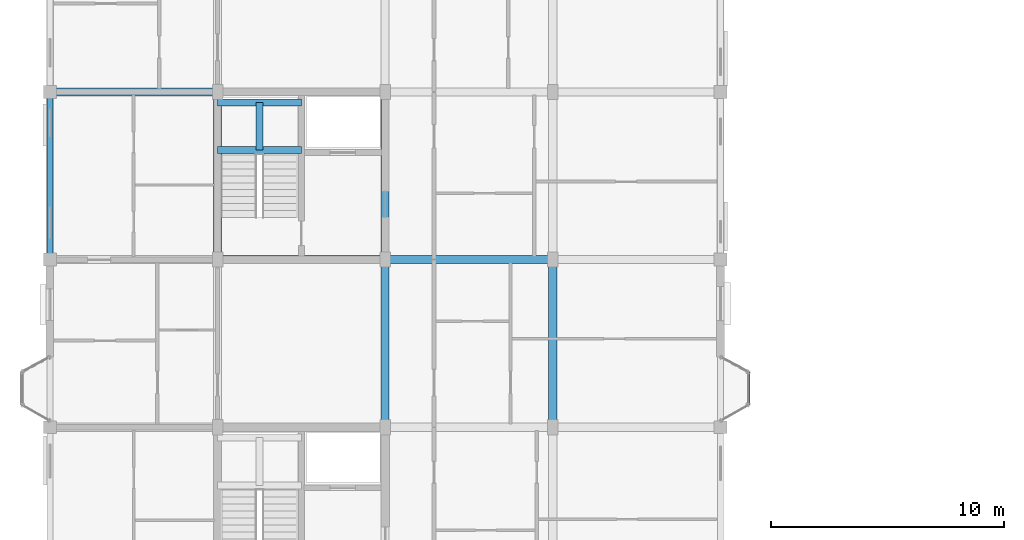
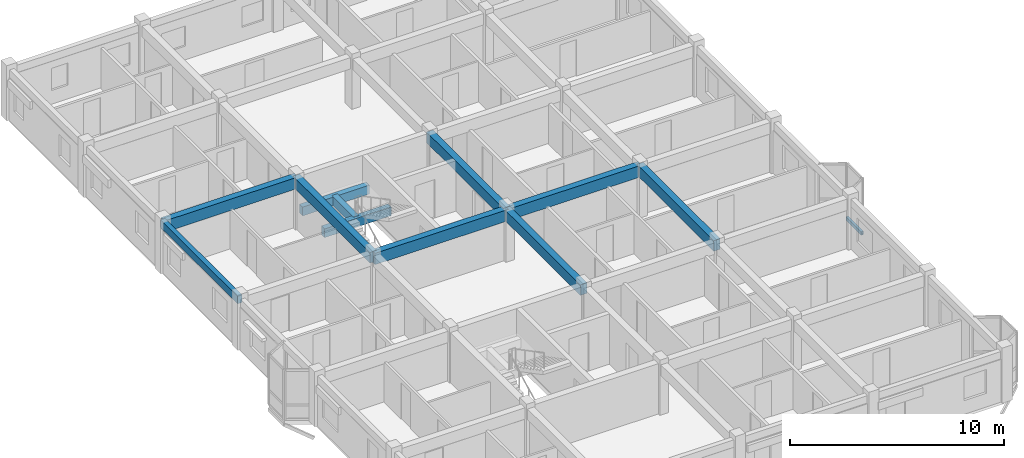
# One storey, part 10 of 77: 11 beams, 1 member.
"""IFC4 building model written with IfcOpenShell, lengths in metres."""

from ifc_helpers import new_model, si_unit, direction, frame, origin, origin_2d, place, context, subcontext, project, spatial, rectangle, hollow_rectangle, extrude, material, material_profile, profile_set, type_object, element, save


model = new_model("IFC4")

# Units and contexts
model_context = context("Model", 3, precision=1e-05, world=origin(), true_north=direction((0.0, 1.0)))
body_context = subcontext(model_context, "Body", "Model", "MODEL_VIEW")
ifc_project = project(units=[si_unit("LENGTHUNIT", "METRE"), si_unit("AREAUNIT", "SQUARE_METRE"), si_unit("VOLUMEUNIT", "CUBIC_METRE"), si_unit("PLANEANGLEUNIT", "RADIAN"), si_unit("MASSUNIT", "GRAM", prefix="KILO"), si_unit("THERMODYNAMICTEMPERATUREUNIT", "KELVIN"), si_unit("POWERUNIT", "WATT")], contexts=[model_context])

# Site, building, storey
site_placement = place(None, origin())
site = spatial("IfcSite", under=ifc_project, at=site_placement, CompositionType="ELEMENT")
building_placement = place(site_placement, origin())
building = spatial("IfcBuilding", under=site, at=building_placement, Name="Tavuni Mirador Residences", CompositionType="ELEMENT")
storey_placement = place(building_placement, frame((0.0, 0.0, 17.10009765625)))
storey = spatial("IfcBuildingStorey", under=building, at=storey_placement, Name="L05", CompositionType="ELEMENT", Elevation=17.10009765625)

# Beams
ifc_material_1 = material(Name="Precast concrete C40/50", Category="concrete")
ifc_material_profile_1 = material_profile(ifc_material_1, rectangle(XDim=0.300048828125, YDim=0.5, at=origin_2d()), Name="PC 300x500", Category="concrete")
ifc_profile_set_1 = profile_set([ifc_material_profile_1], Name="Precast concrete C40/50")
beam_type_1 = type_object("IfcBeamType", Name="BT-B500", PredefinedType="BEAM", material=ifc_profile_set_1)
for number, where, z_axis, x_axis, name in (
    (1, (10.800048828125, 33.5, 1.14501953125), (1.0, 0.0, 0.0), (0.0, 1.0, 0.0), "HLB1-C2-L05"),
    (2, (10.800048828125, 35.550048828125, 1.14501953125), (1.0, 0.0, 0.0), (0.0, 1.0, 0.0), "HLB2-C2-L05"),
):
    element("IfcBeam", number, at=place(storey_placement, frame(where, z_axis=z_axis, x_axis=x_axis)), inside=storey, type_object=beam_type_1, Name=name, PredefinedType="BEAM", context=body_context, shape_type="SweptSolid", body=[
        extrude(rectangle(XDim=0.300048828125, YDim=0.5, at=origin_2d()), origin(), (0.0, 0.0, 1.0), 3.599853515625),
    ])
beam_1_placement = place(storey_placement, frame((12.60009765625, 33.5, 1.14501953125), z_axis=(0.0, 1.0, 0.0), x_axis=(-1.0, 0.0, 0.0)))
element("IfcBeam", 3, at=beam_1_placement, inside=storey, type_object=beam_type_1, Name="HLB3-C2-L05", PredefinedType="BEAM", context=body_context, shape_type="SweptSolid", body=[
    extrude(rectangle(XDim=0.300048828125, YDim=0.5, at=origin_2d()), origin(), (0.0, 0.0, 1.0), 2.050048828125),
])
ifc_material_profile_2 = material_profile(ifc_material_1, rectangle(XDim=0.35009765625, YDim=0.60009765625, at=origin_2d()), Name="PC 350x600", Category="concrete")
ifc_profile_set_2 = profile_set([ifc_material_profile_2], Name="Precast concrete C40/50")
beam_type_2 = type_object("IfcBeamType", Name="BT-B600", PredefinedType="BEAM", material=ifc_profile_set_2)
for number, where, z_axis, x_axis, name in (
    (4, (10.800048828125, 28.800048828125, 2.56982421875), (0.0, 1.0, 0.0), (-1.0, 0.0, 0.0), "BMY-BLK-A-L05-01-03"),
    (5, (18.0, 21.60009765625, 2.56982421875), (0.0, 1.0, 0.0), (-1.0, 0.0, 0.0), "BMY-BLK-A-L05-02-02"),
    (6, (18.0, 28.800048828125, 2.56982421875), (0.0, 1.0, 0.0), (-1.0, 0.0, 0.0), "BMY-BLK-A-L05-02-03"),
    (7, (25.199951171875, 21.60009765625, 2.56982421875), (0.0, 1.0, 0.0), (-1.0, 0.0, 0.0), "BMY-BLK-A-L05-03-02"),
):
    element("IfcBeam", number, at=place(storey_placement, frame(where, z_axis=z_axis, x_axis=x_axis)), inside=storey, type_object=beam_type_2, Name=name, PredefinedType="BEAM", context=body_context, shape_type="SweptSolid", body=[
        extrude(rectangle(XDim=0.35009765625, YDim=0.60009765625, at=origin_2d()), origin(), (0.0, 0.0, 1.0), 7.199951171875),
    ])
ifc_material_profile_3 = material_profile(ifc_material_1, rectangle(XDim=0.35009765625, YDim=0.64990234375, at=origin_2d()), Name="PC 350x650", Category="concrete")
ifc_profile_set_3 = profile_set([ifc_material_profile_3], Name="Precast concrete C40/50")
beam_type_3 = type_object("IfcBeamType", Name="BT-B650", PredefinedType="BEAM", material=ifc_profile_set_3)
for number, where, z_axis, x_axis, name in (
    (8, (10.800048828125, 28.800048828125, 2.544921875), (1.0, 0.0, 0.0), (0.0, 1.0, 0.0), "BMX-BLK-A-L05-01-03"),
    (9, (18.0, 28.800048828125, 2.544921875), (1.0, 0.0, 0.0), (0.0, 1.0, 0.0), "BMX-BLK-A-L05-02-03"),
    (10, (3.60009765625, 36.0, 2.544921875), (1.0, 0.0, 0.0), (0.0, 1.0, 0.0), "BMX-BLK-A-L05-00-04"),
):
    element("IfcBeam", number, at=place(storey_placement, frame(where, z_axis=z_axis, x_axis=x_axis)), inside=storey, type_object=beam_type_3, Name=name, PredefinedType="BEAM", context=body_context, shape_type="SweptSolid", body=[
        extrude(rectangle(XDim=0.35009765625, YDim=0.64990234375, at=origin_2d()), origin(), (0.0, 0.0, 1.0), 7.199951171875),
    ])
ifc_material_profile_4 = material_profile(ifc_material_1, rectangle(XDim=0.25, YDim=0.419921875, at=origin_2d()), Name="PC 250x420", Category="concrete")
ifc_profile_set_4 = profile_set([ifc_material_profile_4], Name="Precast concrete C40/50")
beam_type_4 = type_object("IfcBeamType", Name="BT-SP420", PredefinedType="SPANDREL", material=ifc_profile_set_4)
beam_2_placement = place(storey_placement, frame((3.60009765625, 28.800048828125, 2.659912109375), z_axis=(0.0, 1.0, 0.0), x_axis=(-1.0, 0.0, 0.0)))
element("IfcBeam", 11, at=beam_2_placement, inside=storey, type_object=beam_type_4, Name="BMY-BLK-A-L05-00-03", PredefinedType="SPANDREL", context=body_context, shape_type="SweptSolid", body=[
    extrude(rectangle(XDim=0.25, YDim=0.419921875, at=origin_2d()), origin(), (0.0, 0.0, 1.0), 7.199951171875),
])

# Member
ifc_material_2 = material(Name="Structural steel S355", Category="steel")
ifc_material_profile_5 = material_profile(ifc_material_2, hollow_rectangle(XDim=0.1201171875, YDim=0.199951171875, WallThickness=0.010009765625, at=origin_2d()), Name="RHS 200x120x10.0", Category="steel")
ifc_profile_set_5 = profile_set([ifc_material_profile_5], Name="Structural steel S355")
member_type = type_object("IfcMemberType", Name="MT-ST-RHS200", PredefinedType="STRUT", material=ifc_profile_set_5)
member_placement = place(storey_placement, frame((33.60009765625, 22.56005859375, -0.280029296875), z_axis=(0.0, 1.0, 0.0), x_axis=(-1.0, 0.0, 0.0)))
element("IfcMember", 12, at=member_placement, inside=storey, type_object=member_type, Name="MRIM-MIR-A-E2-L05", PredefinedType="STRUT", context=body_context, shape_type="SweptSolid", body=[
    extrude(hollow_rectangle(XDim=0.1201171875, YDim=0.199951171875, WallThickness=0.010009765625, at=origin_2d()), origin(), (0.0, 0.0, 1.0), 1.419921875),
])

save(model, "model.ifc")
